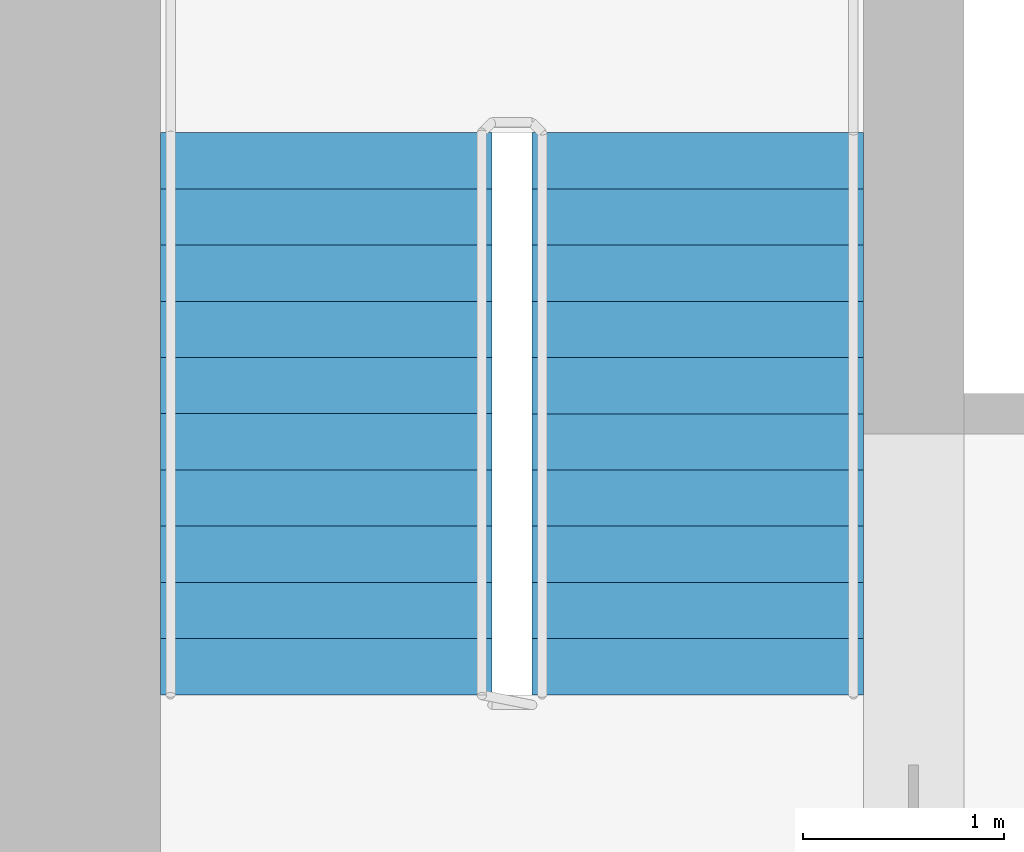
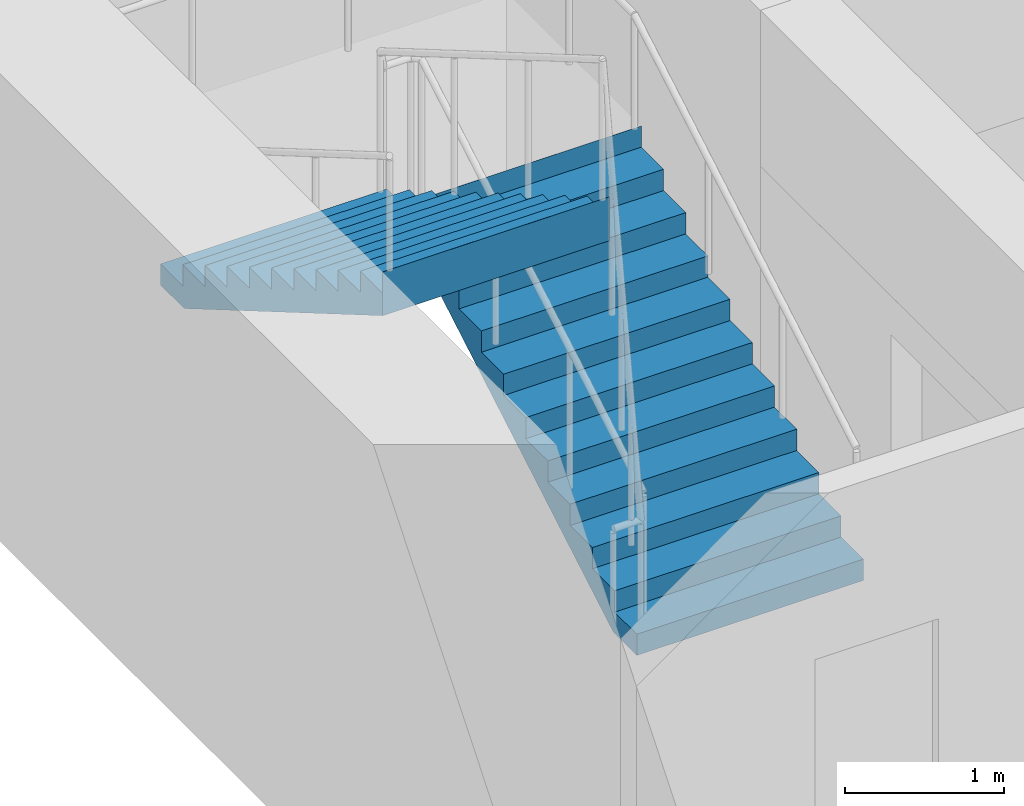
# One storey, part 13 of 14: 2 stair flights, 1 element without a shape of its own.
"""IFC4 building model written with IfcOpenShell, lengths in metres."""

import ifcopenshell
import ifcopenshell.guid

model = None  # the IFC model being written
_history = None  # IfcOwnerHistory: only IFC2X3 demands one
_inside = {}  # id of a spatial element -> (the spatial element, [elements in it])
_under = {}  # id of a project, library or spatial element -> (it, [spatial elements below it])
_declared = {}  # id of a project -> (the project, [libraries it declares])
_typed = {}  # id of a type object -> (the type object, [elements of that type])
_made_of = {}  # id of a material, layer set ... -> (it, [elements and type objects made of it])


def new_model(schema):
    """Start an empty IFC model of exactly this schema.

    Asked for "IFC4X3", IfcOpenShell would pick the latest addendum, in which some entities
    have other attributes; the version numbers below select the first issue.
    IFC2X3 requires an IfcOwnerHistory on every rooted entity: one is made here for all.
    """
    global model, _history
    if schema == "IFC4X3":
        model = ifcopenshell.file(schema_version=(4, 3, 0, 0))
    else:
        model = ifcopenshell.file(schema=schema)
    _inside.clear()
    _under.clear()
    _declared.clear()
    _typed.clear()
    _made_of.clear()
    _history = None
    if model.schema == "IFC2X3":
        org = make("IfcOrganization", Name="unknown")
        user = make(
            "IfcPersonAndOrganization",
            ThePerson=make("IfcPerson", FamilyName="unknown"),
            TheOrganization=org,
        )
        app = make(
            "IfcApplication",
            ApplicationDeveloper=org,
            Version="unknown",
            ApplicationFullName="unknown",
            ApplicationIdentifier="unknown",
        )
        _history = make(
            "IfcOwnerHistory",
            OwningUser=user,
            OwningApplication=app,
            ChangeAction="ADDED",
            CreationDate=0,
        )
    return model


def make(cls, **values):
    """One entity of the class cls with the attributes given. An attribute that is None is left unset."""
    return model.create_entity(
        cls, **{name: value for name, value in values.items() if value is not None}
    )


def rooted(cls, **values):
    """An entity with a GlobalId (a new one), such as an element, a storey or a relation."""
    return make(cls, GlobalId=ifcopenshell.guid.new(), OwnerHistory=_history, **values)


def si_unit(unit_type, name, prefix=None):
    """IfcSIUnit, for example si_unit("LENGTHUNIT", "METRE", prefix="MILLI")."""
    return make("IfcSIUnit", UnitType=unit_type, Prefix=prefix, Name=name)


def assignment(units):
    """IfcUnitAssignment: the units of a project."""
    return None if units is None else make("IfcUnitAssignment", Units=units)


def point(xyz):
    """IfcCartesianPoint."""
    return None if xyz is None else make("IfcCartesianPoint", Coordinates=xyz)


def direction(xyz):
    """IfcDirection."""
    return None if xyz is None else make("IfcDirection", DirectionRatios=xyz)


def frame(location, z_axis=None, x_axis=None):
    """IfcAxis2Placement3D, a coordinate frame: its origin and axes. An axis left out is left unset."""
    return make(
        "IfcAxis2Placement3D",
        Location=point(location),
        Axis=direction(z_axis),
        RefDirection=direction(x_axis),
    )


def origin():
    """The frame at (0, 0, 0) with its axes left unset."""
    return frame((0.0, 0.0, 0.0))


def place(relative_to, where):
    """IfcLocalPlacement: puts the frame where relative to a parent placement (None: the world)."""
    return make(
        "IfcLocalPlacement", PlacementRelTo=relative_to, RelativePlacement=where
    )


def context(
    kind, dimensions, precision=None, world=None, true_north=None, identifier=None
):
    """IfcGeometricRepresentationContext, for example the 3D "Model" context."""
    return make(
        "IfcGeometricRepresentationContext",
        ContextIdentifier=identifier,
        ContextType=kind,
        CoordinateSpaceDimension=dimensions,
        Precision=precision,
        WorldCoordinateSystem=world,
        TrueNorth=true_north,
    )


def subcontext(parent, identifier, kind, view, scale=None):
    """IfcGeometricRepresentationSubContext, for example "Body" below "Model"."""
    return make(
        "IfcGeometricRepresentationSubContext",
        ContextIdentifier=identifier,
        ContextType=kind,
        ParentContext=parent,
        TargetScale=scale,
        TargetView=view,
    )


def project(units=None, contexts=None):
    """IfcProject with its units and contexts."""
    return rooted(
        "IfcProject",
        Name="project",
        RepresentationContexts=contexts,
        UnitsInContext=assignment(units),
    )


def spatial(cls, under=None, at=None, **own):
    """A site, building, storey or space (cls), placed at a placement, below another one or the project."""
    s = rooted(cls, ObjectPlacement=at, **own)
    if under is not None:
        _under.setdefault(under.id(), (under, []))[1].append(s)
    return s


def polyline(points):
    """IfcPolyline through the points."""
    return make("IfcPolyline", Points=[point(p) for p in points])


def outline(outer, holes=None, kind="AREA"):
    """IfcArbitraryClosedProfileDef: a profile drawn as a closed curve; with holes, ...WithVoids."""
    if holes is None:
        return make("IfcArbitraryClosedProfileDef", ProfileType=kind, OuterCurve=outer)
    return make(
        "IfcArbitraryProfileDefWithVoids",
        ProfileType=kind,
        OuterCurve=outer,
        InnerCurves=holes,
    )


def extrude(swept, where, along, depth):
    """IfcExtrudedAreaSolid: the profile swept, set in the frame where, extruded along a direction by depth."""
    return make(
        "IfcExtrudedAreaSolid",
        SweptArea=swept,
        Position=where,
        ExtrudedDirection=direction(along),
        Depth=depth,
    )


def shape(context_of_items, identifier, shape_type, items):
    """IfcShapeRepresentation: the items that make up one representation, for example the "Body"."""
    return make(
        "IfcShapeRepresentation",
        ContextOfItems=context_of_items,
        RepresentationIdentifier=identifier,
        RepresentationType=shape_type,
        Items=items,
    )


def material(Name=None, Category=None):
    """IfcMaterial."""
    return make("IfcMaterial", Name=Name, Category=Category)


def made_of(thing, what):
    """Note that an element or type object is made of a material, layer set ...; save() writes the relation."""
    if what is not None:
        _made_of.setdefault(what.id(), (what, []))[1].append(thing)
    return thing


def type_object(cls, material=None, **own):
    """A type object (cls), such as IfcWallType, which elements share."""
    return made_of(rooted(cls, **own), material)


def element(
    cls,
    number,
    at=None,
    inside=None,
    cuts=None,
    type_object=None,
    material=None,
    context=None,
    identifier="Body",
    shape_type=None,
    held_by="IfcProductDefinitionShape",
    body=None,
    shapes=None,
    **own,
):
    """One element of the class cls, such as IfcWall. Its Tag is "e" and its number.

    at: its placement. inside: the storey or other place that contains it. cuts: it is an
    opening in that element (IfcRelVoidsElement). A single representation is given by context,
    identifier, shape_type and body (its items); several are given by shapes. held_by: the class
    of the entity that holds the representations. save() writes the other relations.
    """
    e = rooted(cls, Tag="e%d" % number, ObjectPlacement=at, **own)
    if body is not None:
        shapes = [shape(context, identifier, shape_type, body)]
    if shapes is not None:
        e.Representation = make(held_by, Representations=shapes)
    if inside is not None:
        _inside.setdefault(inside.id(), (inside, []))[1].append(e)
    if cuts is not None:
        rooted(
            "IfcRelVoidsElement", RelatingBuildingElement=cuts, RelatedOpeningElement=e
        )
    if type_object is not None:
        _typed.setdefault(type_object.id(), (type_object, []))[1].append(e)
    return made_of(e, material)


def aggregate(whole, parts):
    """IfcRelAggregates: a whole, such as a stair, and the parts it consists of."""
    return rooted("IfcRelAggregates", RelatingObject=whole, RelatedObjects=parts)


def save(model, path):
    """Write the relations noted so far, then the file.

    IfcRelAggregates (storeys below a building ...), IfcRelContainedInSpatialStructure (elements
    in a storey), IfcRelDefinesByType, IfcRelAssociatesMaterial and IfcRelDeclares: one each for
    every whole, place, type object, material and project.
    """
    for whole, parts in _under.values():
        aggregate(whole, parts)
    for where, things in _inside.values():
        rooted(
            "IfcRelContainedInSpatialStructure",
            RelatedElements=things,
            RelatingStructure=where,
        )
    for kind, things in _typed.values():
        rooted("IfcRelDefinesByType", RelatedObjects=things, RelatingType=kind)
    for what, things in _made_of.values():
        rooted("IfcRelAssociatesMaterial", RelatedObjects=things, RelatingMaterial=what)
    for by, libraries in _declared.values():
        rooted("IfcRelDeclares", RelatingContext=by, RelatedDefinitions=libraries)
    model.write(path)


model = new_model("IFC4")

# Units and contexts
model_context = context("Model", 3, precision=1e-05, world=origin(), true_north=direction((0.0, 1.0)))
body_context = subcontext(model_context, "Body", "Model", "MODEL_VIEW")
ifc_project = project(units=[si_unit("LENGTHUNIT", "METRE"), si_unit("AREAUNIT", "SQUARE_METRE"), si_unit("VOLUMEUNIT", "CUBIC_METRE"), si_unit("PLANEANGLEUNIT", "RADIAN"), si_unit("MASSUNIT", "GRAM", prefix="KILO")], contexts=[model_context])

# Site, building, storey
site_placement = place(None, origin())
site = spatial("IfcSite", under=ifc_project, at=site_placement, CompositionType="ELEMENT")
building_placement = place(site_placement, origin())
building = spatial("IfcBuilding", under=site, at=building_placement, Name="Tamorin Gate", CompositionType="ELEMENT")
storey_placement = place(building_placement, frame((0.0, 0.0, 55.60009765625)))
storey = spatial("IfcBuildingStorey", under=building, at=storey_placement, Name="L12", CompositionType="ELEMENT", Elevation=55.60009765625)

# Stair, stair flights
ifc_material = material(Name="Concrete C40/50", Category="concrete")
stair_type = type_object("IfcStairType", Name="Exit stair", PredefinedType="HALF_TURN_STAIR", material=ifc_material)
stair_placement = place(storey_placement, origin())
stair = element("IfcStair", 1, at=stair_placement, inside=storey, type_object=stair_type, Name="L12 stair ST2", PredefinedType="HALF_TURN_STAIR")
stair_flight_type = type_object("IfcStairFlightType", Name="Exit stair flight", PredefinedType="STRAIGHT", material=ifc_material)
stair_flight_1_placement = place(storey_placement, frame((33.675048828125, 77.0, 0.0), z_axis=(0.0, 0.0, 1.0), x_axis=(0.0, 1.0, 0.0)))
stair_flight_1 = element("IfcStairFlight", 2, at=stair_flight_1_placement, type_object=stair_flight_type, Name="ST2 flight 1", NumberOfRisers=11, NumberOfTreads=10, PredefinedType="STRAIGHT", RiserHeight=0.163636364, TreadLength=0.28, context=body_context, shape_type="SweptSolid", body=[
    extrude(outline(polyline([(-0.00048828125, 0.0), (-0.00048828125, 0.001708984375), (-0.00048828125, 0.003173828125), (-0.00048828125, 0.0048828125), (-0.00048828125, 0.006591796875), (-0.00048828125, 0.008056640625), (-0.00048828125, 0.009765625), (-0.00048828125, 0.01123046875), (-0.00048828125, 0.012939453125), (-0.00048828125, 0.0146484375), (-0.00048828125, 0.01611328125), (-0.00048828125, 0.017822265625), (-0.00048828125, 0.01953125), (-0.00048828125, 0.02099609375), (-0.00048828125, 0.022705078125), (-0.00048828125, 0.0244140625), (-0.00048828125, 0.02587890625), (-0.00048828125, 0.027587890625), (-0.00048828125, 0.029052734375), (-0.00048828125, 0.03076171875), (-0.00048828125, 0.032470703125), (-0.00048828125, 0.033935546875), (-0.00048828125, 0.03564453125), (-0.00048828125, 0.037353515625), (-0.00048828125, 0.038818359375), (-0.00048828125, 0.04052734375), (-0.00048828125, 0.042236328125), (-0.00048828125, 0.043701171875), (-0.00048828125, 0.04541015625), (-0.00048828125, 0.046875), (-0.00048828125, 0.048583984375), (-0.00048828125, 0.05029296875), (-0.00048828125, 0.0517578125), (-0.00048828125, 0.053466796875), (-0.00048828125, 0.05517578125), (-0.00048828125, 0.056640625), (-0.00048828125, 0.058349609375), (-0.00048828125, 0.06005859375), (-0.00048828125, 0.0615234375), (-0.00048828125, 0.063232421875), (-0.00048828125, 0.064697265625), (-0.00048828125, 0.06640625), (-0.00048828125, 0.068115234375), (-0.00048828125, 0.069580078125), (-0.00048828125, 0.0712890625), (-0.00048828125, 0.072998046875), (-0.00048828125, 0.074462890625), (-0.00048828125, 0.076171875), (-0.00048828125, 0.077880859375), (-0.00048828125, 0.079345703125), (-0.00048828125, 0.0810546875), (-0.00048828125, 0.08251953125), (-0.00048828125, 0.084228515625), (-0.00048828125, 0.0859375), (-0.00048828125, 0.08740234375), (-0.00048828125, 0.089111328125), (-0.00048828125, 0.0908203125), (-0.00048828125, 0.09228515625), (-0.00048828125, 0.093994140625), (-0.00048828125, 0.095703125), (-0.00048828125, 0.09716796875), (-0.00048828125, 0.098876953125), (-0.00048828125, 0.100341796875), (-0.00048828125, 0.10205078125), (-0.00048828125, 0.103759765625), (-0.00048828125, 0.105224609375), (-0.00048828125, 0.10693359375), (-0.00048828125, 0.108642578125), (-0.00048828125, 0.110107421875), (-0.00048828125, 0.11181640625), (-0.00048828125, 0.113525390625), (-0.00048828125, 0.114990234375), (-0.00048828125, 0.11669921875), (-0.00048828125, 0.1181640625), (-0.00048828125, 0.119873046875), (-0.00048828125, 0.12158203125), (-0.00048828125, 0.123046875), (-0.00048828125, 0.124755859375), (-0.00048828125, 0.12646484375), (-0.00048828125, 0.1279296875), (-0.00048828125, 0.129638671875), (-0.00048828125, 0.13134765625), (-0.00048828125, 0.1328125), (-0.00048828125, 0.134521484375), (-0.00048828125, 0.135986328125), (-0.00048828125, 0.1376953125), (-0.00048828125, 0.139404296875), (-0.00048828125, 0.140869140625), (-0.00048828125, 0.142578125), (-0.00048828125, 0.144287109375), (-0.00048828125, 0.145751953125), (-0.00048828125, 0.1474609375), (-0.00048828125, 0.149169921875), (-0.00048828125, 0.150634765625), (-0.00048828125, 0.15234375), (-0.00048828125, 0.15380859375), (-0.00048828125, 0.155517578125), (-0.00048828125, 0.1572265625), (-0.00048828125, 0.15869140625), (-0.00048828125, 0.160400390625), (-0.00048828125, 0.162109375), (-0.00048828125, 0.16357421875), (0.280029296875, 0.16357421875), (0.280029296875, 0.327392578125), (0.56005859375, 0.327392578125), (0.56005859375, 0.490966796875), (0.840087890625, 0.490966796875), (0.840087890625, 0.654541015625), (1.1201171875, 0.654541015625), (1.1201171875, 0.818115234375), (1.39990234375, 0.818115234375), (1.39990234375, 0.98193359375), (1.679931640625, 0.98193359375), (1.679931640625, 1.1455078125), (1.9599609375, 1.1455078125), (1.9599609375, 1.30908203125), (2.239990234375, 1.30908203125), (2.239990234375, 1.47265625), (2.52001953125, 1.47265625), (2.52001953125, 1.636474609375), (2.800048828125, 1.636474609375), (2.800048828125, 1.800048828125), (2.800537109375, 1.800048828125), (2.800537109375, 1.796630859375), (2.800537109375, 1.793212890625), (2.800537109375, 1.7900390625), (2.800537109375, 1.78662109375), (2.800537109375, 1.783203125), (2.800537109375, 1.780029296875), (2.800537109375, 1.776611328125), (2.800537109375, 1.773193359375), (2.800537109375, 1.77001953125), (2.800537109375, 1.7666015625), (2.800537109375, 1.76318359375), (2.800537109375, 1.760009765625), (2.800537109375, 1.756591796875), (2.800537109375, 1.753173828125), (2.800537109375, 1.75), (2.800537109375, 1.74658203125), (2.800537109375, 1.7431640625), (2.800537109375, 1.739990234375), (2.800537109375, 1.736572265625), (2.800537109375, 1.733154296875), (2.800537109375, 1.72998046875), (2.800537109375, 1.7265625), (2.800537109375, 1.72314453125), (2.800537109375, 1.719970703125), (2.800537109375, 1.716552734375), (2.800537109375, 1.713134765625), (2.800537109375, 1.7099609375), (2.800537109375, 1.70654296875), (2.800537109375, 1.703125), (2.800537109375, 1.69970703125), (2.800537109375, 1.696533203125), (2.800537109375, 1.693115234375), (2.800537109375, 1.689697265625), (2.800537109375, 1.6865234375), (2.800537109375, 1.68310546875), (2.800537109375, 1.6796875), (2.800537109375, 1.676513671875), (2.800537109375, 1.673095703125), (2.800537109375, 1.669677734375), (2.800537109375, 1.66650390625), (2.800537109375, 1.6630859375), (2.800537109375, 1.65966796875), (2.800537109375, 1.656494140625), (2.800537109375, 1.653076171875), (2.800537109375, 1.649658203125), (2.800537109375, 1.646484375), (2.800537109375, 1.64306640625), (2.800537109375, 1.6396484375), (2.800537109375, 1.636474609375), (2.800537109375, 1.633056640625), (2.800537109375, 1.629638671875), (2.800537109375, 1.62646484375), (2.800537109375, 1.623046875), (2.800537109375, 1.61962890625), (2.800537109375, 1.616455078125), (2.800537109375, 1.613037109375), (2.800537109375, 1.609619140625), (2.800537109375, 1.6064453125), (2.800537109375, 1.60302734375), (2.800537109375, 1.599609375), (2.800537109375, 1.59619140625), (2.800537109375, 1.593017578125), (2.800537109375, 1.589599609375), (2.800537109375, 1.586181640625), (2.800537109375, 1.5830078125), (2.800537109375, 1.57958984375), (2.800537109375, 1.576171875), (2.800537109375, 1.572998046875), (2.800537109375, 1.569580078125), (2.800537109375, 1.566162109375), (2.800537109375, 1.56298828125), (2.800537109375, 1.5595703125), (2.800537109375, 1.55615234375), (2.800537109375, 1.552978515625), (2.800537109375, 1.549560546875), (2.800537109375, 1.546142578125), (2.800537109375, 1.54296875), (2.800537109375, 1.53955078125), (2.800537109375, 1.5361328125), (2.800537109375, 1.532958984375), (2.800537109375, 1.529541015625), (2.800537109375, 1.526123046875), (2.800537109375, 1.52294921875), (2.800537109375, 1.51953125), (2.800537109375, 1.51611328125), (2.800537109375, 1.512939453125), (2.800537109375, 1.509521484375), (2.800537109375, 1.506103515625), (2.800537109375, 1.5029296875), (2.800537109375, 1.49951171875), (2.800537109375, 1.49609375), (2.800537109375, 1.49267578125), (2.800537109375, 1.489501953125), (2.800537109375, 1.486083984375), (2.800537109375, 1.482666015625), (2.800537109375, 1.4794921875), (2.800537109375, 1.47607421875), (2.800537109375, 1.47265625), (2.800537109375, 1.469482421875), (2.800537109375, 1.466064453125), (2.800537109375, 1.462646484375), (2.800048828125, 1.462646484375), (0.297119140625, 0.0), (-0.00048828125, 0.0)])), frame((0.0, 0.824951171875, 0.0), z_axis=(0.0, -1.0, 0.0), x_axis=(1.0, 0.0, 0.0)), (0.0, 0.0, 1.0), 1.64990234375),
])
stair_flight_2_placement = place(storey_placement, frame((31.824951171875, 79.800048828125, 1.7998046875), z_axis=(0.0, 0.0, 1.0), x_axis=(0.0, -1.0, 0.0)))
stair_flight_2 = element("IfcStairFlight", 3, at=stair_flight_2_placement, type_object=stair_flight_type, Name="ST2 flight 2", NumberOfRisers=11, NumberOfTreads=10, PredefinedType="STRAIGHT", RiserHeight=0.163636364, TreadLength=0.28, context=body_context, shape_type="SweptSolid", body=[
    extrude(outline(polyline([(-0.00048828125, 0.0), (-0.00048828125, 0.001708984375), (-0.00048828125, 0.003173828125), (-0.00048828125, 0.0048828125), (-0.00048828125, 0.006591796875), (-0.00048828125, 0.008056640625), (-0.00048828125, 0.009765625), (-0.00048828125, 0.01123046875), (-0.00048828125, 0.012939453125), (-0.00048828125, 0.0146484375), (-0.00048828125, 0.01611328125), (-0.00048828125, 0.017822265625), (-0.00048828125, 0.01953125), (-0.00048828125, 0.02099609375), (-0.00048828125, 0.022705078125), (-0.00048828125, 0.0244140625), (-0.00048828125, 0.02587890625), (-0.00048828125, 0.027587890625), (-0.00048828125, 0.029052734375), (-0.00048828125, 0.03076171875), (-0.00048828125, 0.032470703125), (-0.00048828125, 0.033935546875), (-0.00048828125, 0.03564453125), (-0.00048828125, 0.037353515625), (-0.00048828125, 0.038818359375), (-0.00048828125, 0.04052734375), (-0.00048828125, 0.042236328125), (-0.00048828125, 0.043701171875), (-0.00048828125, 0.04541015625), (-0.00048828125, 0.046875), (-0.00048828125, 0.048583984375), (-0.00048828125, 0.05029296875), (-0.00048828125, 0.0517578125), (-0.00048828125, 0.053466796875), (-0.00048828125, 0.05517578125), (-0.00048828125, 0.056640625), (-0.00048828125, 0.058349609375), (-0.00048828125, 0.06005859375), (-0.00048828125, 0.0615234375), (-0.00048828125, 0.063232421875), (-0.00048828125, 0.064697265625), (-0.00048828125, 0.06640625), (-0.00048828125, 0.068115234375), (-0.00048828125, 0.069580078125), (-0.00048828125, 0.0712890625), (-0.00048828125, 0.072998046875), (-0.00048828125, 0.074462890625), (-0.00048828125, 0.076171875), (-0.00048828125, 0.077880859375), (-0.00048828125, 0.079345703125), (-0.00048828125, 0.0810546875), (-0.00048828125, 0.08251953125), (-0.00048828125, 0.084228515625), (-0.00048828125, 0.0859375), (-0.00048828125, 0.08740234375), (-0.00048828125, 0.089111328125), (-0.00048828125, 0.0908203125), (-0.00048828125, 0.09228515625), (-0.00048828125, 0.093994140625), (-0.00048828125, 0.095703125), (-0.00048828125, 0.09716796875), (-0.00048828125, 0.098876953125), (-0.00048828125, 0.100341796875), (-0.00048828125, 0.10205078125), (-0.00048828125, 0.103759765625), (-0.00048828125, 0.105224609375), (-0.00048828125, 0.10693359375), (-0.00048828125, 0.108642578125), (-0.00048828125, 0.110107421875), (-0.00048828125, 0.11181640625), (-0.00048828125, 0.113525390625), (-0.00048828125, 0.114990234375), (-0.00048828125, 0.11669921875), (-0.00048828125, 0.1181640625), (-0.00048828125, 0.119873046875), (-0.00048828125, 0.12158203125), (-0.00048828125, 0.123046875), (-0.00048828125, 0.124755859375), (-0.00048828125, 0.12646484375), (-0.00048828125, 0.1279296875), (-0.00048828125, 0.129638671875), (-0.00048828125, 0.13134765625), (-0.00048828125, 0.1328125), (-0.00048828125, 0.134521484375), (-0.00048828125, 0.135986328125), (-0.00048828125, 0.1376953125), (-0.00048828125, 0.139404296875), (-0.00048828125, 0.140869140625), (-0.00048828125, 0.142578125), (-0.00048828125, 0.144287109375), (-0.00048828125, 0.145751953125), (-0.00048828125, 0.1474609375), (-0.00048828125, 0.149169921875), (-0.00048828125, 0.150634765625), (-0.00048828125, 0.15234375), (-0.00048828125, 0.15380859375), (-0.00048828125, 0.155517578125), (-0.00048828125, 0.1572265625), (-0.00048828125, 0.15869140625), (-0.00048828125, 0.160400390625), (-0.00048828125, 0.162109375), (-0.00048828125, 0.16357421875), (0.280029296875, 0.16357421875), (0.280029296875, 0.327392578125), (0.56005859375, 0.327392578125), (0.56005859375, 0.490966796875), (0.840087890625, 0.490966796875), (0.840087890625, 0.654541015625), (1.1201171875, 0.654541015625), (1.1201171875, 0.818115234375), (1.39990234375, 0.818115234375), (1.39990234375, 0.98193359375), (1.679931640625, 0.98193359375), (1.679931640625, 1.1455078125), (1.9599609375, 1.1455078125), (1.9599609375, 1.30908203125), (2.239990234375, 1.30908203125), (2.239990234375, 1.47265625), (2.52001953125, 1.47265625), (2.52001953125, 1.636474609375), (2.800048828125, 1.636474609375), (2.800048828125, 1.800048828125), (2.800537109375, 1.800048828125), (2.800537109375, 1.796630859375), (2.800537109375, 1.793212890625), (2.800537109375, 1.7900390625), (2.800537109375, 1.78662109375), (2.800537109375, 1.783203125), (2.800537109375, 1.780029296875), (2.800537109375, 1.776611328125), (2.800537109375, 1.773193359375), (2.800537109375, 1.77001953125), (2.800537109375, 1.7666015625), (2.800537109375, 1.76318359375), (2.800537109375, 1.760009765625), (2.800537109375, 1.756591796875), (2.800537109375, 1.753173828125), (2.800537109375, 1.75), (2.800537109375, 1.74658203125), (2.800537109375, 1.7431640625), (2.800537109375, 1.739990234375), (2.800537109375, 1.736572265625), (2.800537109375, 1.733154296875), (2.800537109375, 1.72998046875), (2.800537109375, 1.7265625), (2.800537109375, 1.72314453125), (2.800537109375, 1.719970703125), (2.800537109375, 1.716552734375), (2.800537109375, 1.713134765625), (2.800537109375, 1.7099609375), (2.800537109375, 1.70654296875), (2.800537109375, 1.703125), (2.800537109375, 1.69970703125), (2.800537109375, 1.696533203125), (2.800537109375, 1.693115234375), (2.800537109375, 1.689697265625), (2.800537109375, 1.6865234375), (2.800537109375, 1.68310546875), (2.800537109375, 1.6796875), (2.800537109375, 1.676513671875), (2.800537109375, 1.673095703125), (2.800537109375, 1.669677734375), (2.800537109375, 1.66650390625), (2.800537109375, 1.6630859375), (2.800537109375, 1.65966796875), (2.800537109375, 1.656494140625), (2.800537109375, 1.653076171875), (2.800537109375, 1.649658203125), (2.800537109375, 1.646484375), (2.800537109375, 1.64306640625), (2.800537109375, 1.6396484375), (2.800537109375, 1.636474609375), (2.800537109375, 1.633056640625), (2.800537109375, 1.629638671875), (2.800537109375, 1.62646484375), (2.800537109375, 1.623046875), (2.800537109375, 1.61962890625), (2.800537109375, 1.616455078125), (2.800537109375, 1.613037109375), (2.800537109375, 1.609619140625), (2.800537109375, 1.6064453125), (2.800537109375, 1.60302734375), (2.800537109375, 1.599609375), (2.800537109375, 1.59619140625), (2.800537109375, 1.593017578125), (2.800537109375, 1.589599609375), (2.800537109375, 1.586181640625), (2.800537109375, 1.5830078125), (2.800537109375, 1.57958984375), (2.800537109375, 1.576171875), (2.800537109375, 1.572998046875), (2.800537109375, 1.569580078125), (2.800537109375, 1.566162109375), (2.800537109375, 1.56298828125), (2.800537109375, 1.5595703125), (2.800537109375, 1.55615234375), (2.800537109375, 1.552978515625), (2.800537109375, 1.549560546875), (2.800537109375, 1.546142578125), (2.800537109375, 1.54296875), (2.800537109375, 1.53955078125), (2.800537109375, 1.5361328125), (2.800537109375, 1.532958984375), (2.800537109375, 1.529541015625), (2.800537109375, 1.526123046875), (2.800537109375, 1.52294921875), (2.800537109375, 1.51953125), (2.800537109375, 1.51611328125), (2.800537109375, 1.512939453125), (2.800537109375, 1.509521484375), (2.800537109375, 1.506103515625), (2.800537109375, 1.5029296875), (2.800537109375, 1.49951171875), (2.800537109375, 1.49609375), (2.800537109375, 1.49267578125), (2.800537109375, 1.489501953125), (2.800537109375, 1.486083984375), (2.800537109375, 1.482666015625), (2.800537109375, 1.4794921875), (2.800537109375, 1.47607421875), (2.800537109375, 1.47265625), (2.800537109375, 1.469482421875), (2.800537109375, 1.466064453125), (2.800537109375, 1.462646484375), (2.800048828125, 1.462646484375), (0.297119140625, 0.0), (-0.00048828125, 0.0)])), frame((0.0, 0.824951171875, 0.0), z_axis=(0.0, -1.0, 0.0), x_axis=(1.0, 0.0, 0.0)), (0.0, 0.0, 1.0), 1.64990234375),
])
aggregate(stair, [stair_flight_1, stair_flight_2])

save(model, "model.ifc")
